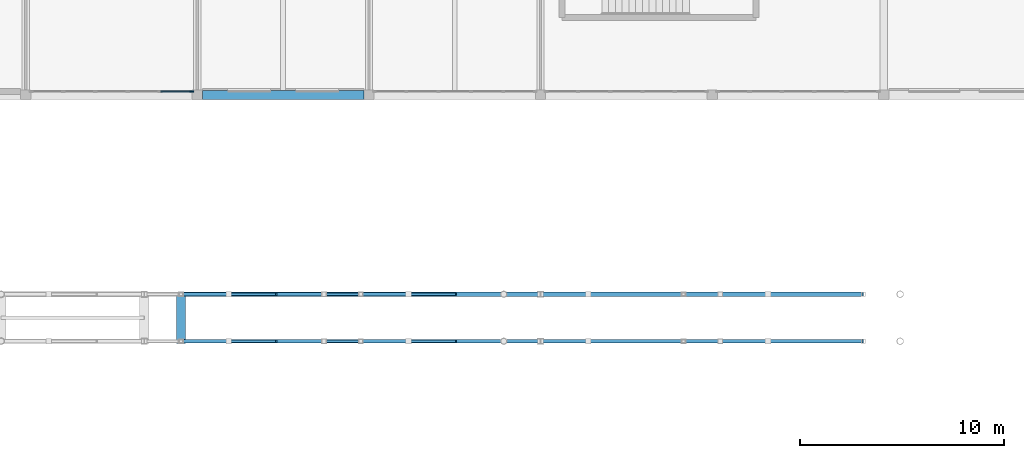
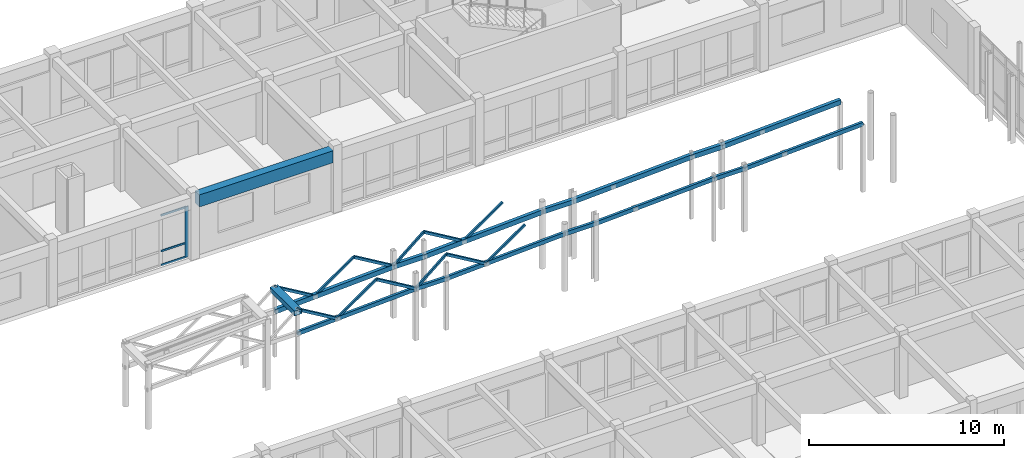
# One storey, part 36 of 89: 30 members, 2 beams, 1 element without a shape of its own.
"""IFC4 building model written with IfcOpenShell, lengths in metres."""

from ifc_helpers import new_model, si_unit, direction, frame, origin, origin_2d, place, context, subcontext, project, spatial, rectangle, hollow_rectangle, extrude, material, material_profile, profile_set, type_object, element, aggregate, save


model = new_model("IFC4")

# Units and contexts
model_context = context("Model", 3, precision=1e-05, world=origin(), true_north=direction((0.0, 1.0)))
body_context = subcontext(model_context, "Body", "Model", "MODEL_VIEW")
ifc_project = project(units=[si_unit("LENGTHUNIT", "METRE"), si_unit("AREAUNIT", "SQUARE_METRE"), si_unit("VOLUMEUNIT", "CUBIC_METRE"), si_unit("PLANEANGLEUNIT", "RADIAN"), si_unit("MASSUNIT", "GRAM", prefix="KILO")], contexts=[model_context])

# Site, building, storey
site_placement = place(None, origin())
site = spatial("IfcSite", under=ifc_project, at=site_placement, CompositionType="ELEMENT")
building_placement = place(site_placement, origin())
building = spatial("IfcBuilding", under=site, at=building_placement, Name="Malvenik Polytechnic", CompositionType="ELEMENT")
storey_placement = place(building_placement, frame((0.0, 0.0, 13.5)))
storey = spatial("IfcBuildingStorey", under=building, at=storey_placement, Name="L03", CompositionType="ELEMENT", Elevation=13.5)

# Curtain wall, members
ifc_material_1 = material(Name="Anodised aluminium 6060-T6", Category="aluminium")
curtain_wall_type = type_object("IfcCurtainWallType", Name="ARC-CW-CW-02", PredefinedType="NOTDEFINED", material=ifc_material_1)
curtain_wall_placement = place(storey_placement, origin())
curtain_wall = element("IfcCurtainWall", 1, at=curtain_wall_placement, inside=storey, type_object=curtain_wall_type, Name="Unitised Curtain Wall CW-02 L03 #171", PredefinedType="NOTDEFINED")
ifc_material_2 = material(Name="Anodised aluminium", Category="aluminium")
ifc_material_profile_1 = material_profile(ifc_material_2, rectangle(XDim=0.06005859375, YDim=0.199951171875, at=origin_2d()), Name="ALU MULLION 60x200")
ifc_profile_set_1 = profile_set([ifc_material_profile_1], Name="Anodised aluminium")
member_type_1 = type_object("IfcMemberType", Name="ARC-CWM-200", PredefinedType="MULLION", material=ifc_profile_set_1)
member_1_placement = place(storey_placement, frame((33.322021484375, 115.3701171875, 0.0), z_axis=(0.0, 0.0, 1.0), x_axis=(0.0, -1.0, 0.0)))
member_1 = element("IfcMember", 2, at=member_1_placement, type_object=member_type_1, Name="CW-02 mullion 1", PredefinedType="MULLION", context=body_context, shape_type="SweptSolid", body=[
    extrude(rectangle(XDim=0.06005859375, YDim=0.199951171875, at=origin_2d()), origin(), (0.0, 0.0, 1.0), 3.159912109375),
])
ifc_material_profile_2 = material_profile(ifc_material_2, rectangle(XDim=0.06005859375, YDim=0.1201171875, at=origin_2d()), Name="ALU TRANSOM 60x120")
ifc_profile_set_2 = profile_set([ifc_material_profile_2], Name="Anodised aluminium")
member_type_2 = type_object("IfcMemberType", Name="ARC-CWT-120", PredefinedType="USERDEFINED", material=ifc_profile_set_2)
member_2_placement = place(storey_placement, frame((33.2919921875, 115.3701171875, 0.030029296875), z_axis=(-1.0, 0.0, 0.0), x_axis=(0.0, -1.0, 0.0)))
member_2 = element("IfcMember", 3, at=member_2_placement, type_object=member_type_2, Name="CW-02 transom 1.1", ObjectType="TRANSOM", PredefinedType="USERDEFINED", context=body_context, shape_type="SweptSolid", body=[
    extrude(rectangle(XDim=0.06005859375, YDim=0.1201171875, at=origin_2d()), origin(), (0.0, 0.0, 1.0), 1.49072265625),
])
member_3_placement = place(storey_placement, frame((33.2919921875, 115.3701171875, 0.89990234375), z_axis=(-1.0, 0.0, 0.0), x_axis=(0.0, -1.0, 0.0)))
member_3 = element("IfcMember", 4, at=member_3_placement, type_object=member_type_2, Name="CW-02 transom 1.2", ObjectType="TRANSOM", PredefinedType="USERDEFINED", context=body_context, shape_type="SweptSolid", body=[
    extrude(rectangle(XDim=0.06005859375, YDim=0.1201171875, at=origin_2d()), origin(), (0.0, 0.0, 1.0), 1.49072265625),
])
member_4_placement = place(storey_placement, frame((33.2919921875, 115.3701171875, 3.1298828125), z_axis=(-1.0, 0.0, 0.0), x_axis=(0.0, -1.0, 0.0)))
member_4 = element("IfcMember", 5, at=member_4_placement, type_object=member_type_2, Name="CW-02 transom 1.3", ObjectType="TRANSOM", PredefinedType="USERDEFINED", context=body_context, shape_type="SweptSolid", body=[
    extrude(rectangle(XDim=0.06005859375, YDim=0.1201171875, at=origin_2d()), origin(), (0.0, 0.0, 1.0), 1.49072265625),
])
aggregate(curtain_wall, [member_1, member_2, member_3, member_4])

# Beams
ifc_material_3 = material(Name="Steel S355J2H", Category="steel")
ifc_material_profile_3 = material_profile(ifc_material_3, hollow_rectangle(XDim=0.449951171875, YDim=0.300048828125, WallThickness=0.012451171875, at=origin_2d()), Name="RHS 450x300x12.5")
ifc_profile_set_3 = profile_set([ifc_material_profile_3], Name="Steel S355J2H")
beam_type_1 = type_object("IfcBeamType", Name="STR-BM-SB-07", PredefinedType="BEAM", material=ifc_profile_set_3)
beam_1_placement = place(storey_placement, frame((32.800048828125, 103.050048828125, 4.181884765625), z_axis=(0.0, 1.0, 0.0), x_axis=(-1.0, 0.0, 0.0)))
element("IfcBeam", 6, at=beam_1_placement, inside=storey, type_object=beam_type_1, Name="Ramp Joint Transom RB-03 #2", PredefinedType="BEAM", context=body_context, shape_type="SweptSolid", body=[
    extrude(hollow_rectangle(XDim=0.449951171875, YDim=0.300048828125, WallThickness=0.012451171875, at=origin_2d()), origin(), (0.0, 0.0, 1.0), 2.5),
])
ifc_material_4 = material(Name="Precast concrete C40/50", Category="concrete")
ifc_material_profile_4 = material_profile(ifc_material_4, rectangle(XDim=0.4599609375, YDim=0.75, at=origin_2d()), Name="PC SPN 460x750")
ifc_profile_set_4 = profile_set([ifc_material_profile_4], Name="Precast concrete C40/50")
beam_type_2 = type_object("IfcBeamType", Name="STR-BM-SP-02", PredefinedType="SPANDREL", material=ifc_profile_set_4)
beam_2_placement = place(storey_placement, frame((33.847900390625, 115.199951171875, 3.544921875), z_axis=(1.0, 0.0, 0.0), x_axis=(0.0, 1.0, 0.0)))
element("IfcBeam", 7, at=beam_2_placement, inside=storey, type_object=beam_type_2, Name="Primary Beam SP-02 L03 #1681", PredefinedType="SPANDREL", context=body_context, shape_type="SweptSolid", body=[
    extrude(rectangle(XDim=0.4599609375, YDim=0.75, at=origin_2d()), origin(), (0.0, 0.0, 1.0), 7.904052734375),
])

# Members
ifc_material_profile_5 = material_profile(ifc_material_3, hollow_rectangle(XDim=0.14990234375, YDim=0.25, WallThickness=0.010009765625, at=origin_2d()), Name="RHS 250x150x10.0")
ifc_profile_set_5 = profile_set([ifc_material_profile_5], Name="Steel S355J2H")
member_type_3 = type_object("IfcMemberType", Name="STR-MEM-TRB-01", PredefinedType="CHORD", material=ifc_profile_set_5)
member_5_placement = place(storey_placement, frame((32.803955078125, 103.14990234375, 2.830078125), z_axis=(0.998752251909, 0.0, 0.049939356288), x_axis=(0.0, 1.0, 0.0)))
element("IfcMember", 8, at=member_5_placement, inside=storey, type_object=member_type_3, Name="Space-Frame Tube TRB-01 STR-TR-BC-RB-03-1-02", PredefinedType="CHORD", context=body_context, shape_type="SweptSolid", body=[
    extrude(hollow_rectangle(XDim=0.14990234375, YDim=0.25, WallThickness=0.010009765625, at=origin_2d()), origin(), (0.0, 0.0, 1.0), 7.000732421875),
])
member_6_placement = place(storey_placement, frame((39.803955078125, 103.14990234375, 3.179931640625), z_axis=(1.0, 0.0, 0.0), x_axis=(0.0, 1.0, 0.0)))
element("IfcMember", 9, at=member_6_placement, inside=storey, type_object=member_type_3, Name="Space-Frame Tube TRB-01 STR-TR-BC-RB-03-1-03", PredefinedType="CHORD", context=body_context, shape_type="SweptSolid", body=[
    extrude(hollow_rectangle(XDim=0.14990234375, YDim=0.25, WallThickness=0.010009765625, at=origin_2d()), origin(), (0.0, 0.0, 1.0), 1.7919921875),
])
member_7_placement = place(storey_placement, frame((41.60400390625, 103.14990234375, 3.18017578125), z_axis=(0.998752251909, 0.0, 0.049939356288), x_axis=(0.0, 1.0, 0.0)))
element("IfcMember", 10, at=member_7_placement, inside=storey, type_object=member_type_3, Name="Space-Frame Tube TRB-01 STR-TR-BC-RB-03-1-04", PredefinedType="CHORD", context=body_context, shape_type="SweptSolid", body=[
    extrude(hollow_rectangle(XDim=0.14990234375, YDim=0.25, WallThickness=0.010009765625, at=origin_2d()), origin(), (0.0, 0.0, 1.0), 7.000732421875),
])
member_8_placement = place(storey_placement, frame((48.60400390625, 103.14990234375, 3.530029296875), z_axis=(1.0, 0.0, 0.0), x_axis=(0.0, 1.0, 0.0)))
element("IfcMember", 11, at=member_8_placement, inside=storey, type_object=member_type_3, Name="Space-Frame Tube TRB-01 STR-TR-BC-RB-03-1-05", PredefinedType="CHORD", context=body_context, shape_type="SweptSolid", body=[
    extrude(hollow_rectangle(XDim=0.14990234375, YDim=0.25, WallThickness=0.010009765625, at=origin_2d()), origin(), (0.0, 0.0, 1.0), 1.7919921875),
])
member_9_placement = place(storey_placement, frame((50.404052734375, 103.14990234375, 3.5302734375), z_axis=(0.998752251909, 0.0, 0.049939356288), x_axis=(0.0, 1.0, 0.0)))
element("IfcMember", 12, at=member_9_placement, inside=storey, type_object=member_type_3, Name="Space-Frame Tube TRB-01 STR-TR-BC-RB-03-1-06", PredefinedType="CHORD", context=body_context, shape_type="SweptSolid", body=[
    extrude(hollow_rectangle(XDim=0.14990234375, YDim=0.25, WallThickness=0.010009765625, at=origin_2d()), origin(), (0.0, 0.0, 1.0), 7.000732421875),
])
member_10_placement = place(storey_placement, frame((57.404052734375, 103.14990234375, 3.8798828125), z_axis=(1.0, 0.0, 0.0), x_axis=(0.0, 1.0, 0.0)))
element("IfcMember", 13, at=member_10_placement, inside=storey, type_object=member_type_3, Name="Space-Frame Tube TRB-01 STR-TR-BC-RB-03-1-07", PredefinedType="CHORD", context=body_context, shape_type="SweptSolid", body=[
    extrude(hollow_rectangle(XDim=0.14990234375, YDim=0.25, WallThickness=0.010009765625, at=origin_2d()), origin(), (0.0, 0.0, 1.0), 1.7919921875),
])
member_11_placement = place(storey_placement, frame((59.2041015625, 103.14990234375, 3.880126953125), z_axis=(0.998752251909, 0.0, 0.049939356288), x_axis=(0.0, 1.0, 0.0)))
element("IfcMember", 14, at=member_11_placement, inside=storey, type_object=member_type_3, Name="Space-Frame Tube TRB-01 STR-TR-BC-RB-03-1-08", PredefinedType="CHORD", context=body_context, shape_type="SweptSolid", body=[
    extrude(hollow_rectangle(XDim=0.14990234375, YDim=0.25, WallThickness=0.010009765625, at=origin_2d()), origin(), (0.0, 0.0, 1.0), 7.000732421875),
])
ifc_material_profile_6 = material_profile(ifc_material_3, hollow_rectangle(XDim=0.199951171875, YDim=0.300048828125, WallThickness=0.010009765625, at=origin_2d()), Name="RHS 300x200x10.0")
ifc_profile_set_6 = profile_set([ifc_material_profile_6], Name="Steel S355J2H")
member_type_4 = type_object("IfcMemberType", Name="STR-MEM-TRB-02", PredefinedType="CHORD", material=ifc_profile_set_6)
member_12_placement = place(storey_placement, frame((32.803955078125, 105.449951171875, 2.830078125), z_axis=(0.998752251909, 0.0, 0.049939356288), x_axis=(0.0, 1.0, 0.0)))
element("IfcMember", 15, at=member_12_placement, inside=storey, type_object=member_type_4, Name="Space-Frame Tube TRB-02 STR-TR-BC-RB-03-2-02", PredefinedType="CHORD", context=body_context, shape_type="SweptSolid", body=[
    extrude(hollow_rectangle(XDim=0.199951171875, YDim=0.300048828125, WallThickness=0.010009765625, at=origin_2d()), origin(), (0.0, 0.0, 1.0), 7.000732421875),
])
member_13_placement = place(storey_placement, frame((39.803955078125, 105.449951171875, 3.179931640625), z_axis=(1.0, 0.0, 0.0), x_axis=(0.0, 1.0, 0.0)))
element("IfcMember", 16, at=member_13_placement, inside=storey, type_object=member_type_4, Name="Space-Frame Tube TRB-02 STR-TR-BC-RB-03-2-03", PredefinedType="CHORD", context=body_context, shape_type="SweptSolid", body=[
    extrude(hollow_rectangle(XDim=0.199951171875, YDim=0.300048828125, WallThickness=0.010009765625, at=origin_2d()), origin(), (0.0, 0.0, 1.0), 1.7919921875),
])
member_14_placement = place(storey_placement, frame((41.60400390625, 105.449951171875, 3.18017578125), z_axis=(0.998752251909, 0.0, 0.049939356288), x_axis=(0.0, 1.0, 0.0)))
element("IfcMember", 17, at=member_14_placement, inside=storey, type_object=member_type_4, Name="Space-Frame Tube TRB-02 STR-TR-BC-RB-03-2-04", PredefinedType="CHORD", context=body_context, shape_type="SweptSolid", body=[
    extrude(hollow_rectangle(XDim=0.199951171875, YDim=0.300048828125, WallThickness=0.010009765625, at=origin_2d()), origin(), (0.0, 0.0, 1.0), 7.000732421875),
])
member_15_placement = place(storey_placement, frame((48.60400390625, 105.449951171875, 3.530029296875), z_axis=(1.0, 0.0, 0.0), x_axis=(0.0, 1.0, 0.0)))
element("IfcMember", 18, at=member_15_placement, inside=storey, type_object=member_type_4, Name="Space-Frame Tube TRB-02 STR-TR-BC-RB-03-2-05", PredefinedType="CHORD", context=body_context, shape_type="SweptSolid", body=[
    extrude(hollow_rectangle(XDim=0.199951171875, YDim=0.300048828125, WallThickness=0.010009765625, at=origin_2d()), origin(), (0.0, 0.0, 1.0), 1.7919921875),
])
member_16_placement = place(storey_placement, frame((50.404052734375, 105.449951171875, 3.5302734375), z_axis=(0.998752251909, 0.0, 0.049939356288), x_axis=(0.0, 1.0, 0.0)))
element("IfcMember", 19, at=member_16_placement, inside=storey, type_object=member_type_4, Name="Space-Frame Tube TRB-02 STR-TR-BC-RB-03-2-06", PredefinedType="CHORD", context=body_context, shape_type="SweptSolid", body=[
    extrude(hollow_rectangle(XDim=0.199951171875, YDim=0.300048828125, WallThickness=0.010009765625, at=origin_2d()), origin(), (0.0, 0.0, 1.0), 7.000732421875),
])
member_17_placement = place(storey_placement, frame((57.404052734375, 105.449951171875, 3.8798828125), z_axis=(1.0, 0.0, 0.0), x_axis=(0.0, 1.0, 0.0)))
element("IfcMember", 20, at=member_17_placement, inside=storey, type_object=member_type_4, Name="Space-Frame Tube TRB-02 STR-TR-BC-RB-03-2-07", PredefinedType="CHORD", context=body_context, shape_type="SweptSolid", body=[
    extrude(hollow_rectangle(XDim=0.199951171875, YDim=0.300048828125, WallThickness=0.010009765625, at=origin_2d()), origin(), (0.0, 0.0, 1.0), 1.7919921875),
])
member_18_placement = place(storey_placement, frame((59.2041015625, 105.449951171875, 3.880126953125), z_axis=(0.998752251909, 0.0, 0.049939356288), x_axis=(0.0, 1.0, 0.0)))
element("IfcMember", 21, at=member_18_placement, inside=storey, type_object=member_type_4, Name="Space-Frame Tube TRB-02 STR-TR-BC-RB-03-2-08", PredefinedType="CHORD", context=body_context, shape_type="SweptSolid", body=[
    extrude(hollow_rectangle(XDim=0.199951171875, YDim=0.300048828125, WallThickness=0.010009765625, at=origin_2d()), origin(), (0.0, 0.0, 1.0), 7.000732421875),
])
ifc_material_profile_7 = material_profile(ifc_material_3, hollow_rectangle(XDim=0.14990234375, YDim=0.14990234375, WallThickness=0.008056640625, at=origin_2d()), Name="SHS 150x150x8.0")
ifc_profile_set_7 = profile_set([ifc_material_profile_7], Name="Steel S355J2H")
member_type_5 = type_object("IfcMemberType", Name="STR-MEM-TRD-01", PredefinedType="BRACE", material=ifc_profile_set_7)
for number, where, z_axis, x_axis, name in (
    (22, (32.803466796875, 103.14990234375, 4.327880859375), (0.860205006447, 0.0, -0.509948376684), (0.0, 1.0, 0.0), "Space-Frame Tube TRD-01 STR-TRD-01-RB-03-1-02"),
    (23, (37.47021484375, 103.14990234375, 4.561279296875), (0.860165406805, 0.0, -0.51001516932), (0.0, 1.0, 0.0), "Space-Frame Tube TRD-01 STR-TRD-03-RB-03-1-02"),
    (24, (41.603515625, 103.14990234375, 4.677978515625), (0.860165406805, 0.0, -0.51001516932), (0.0, 1.0, 0.0), "Space-Frame Tube TRD-01 STR-TRD-01-RB-03-1-04"),
    (25, (32.803466796875, 105.449951171875, 4.327880859375), (0.860205006447, 0.0, -0.509948376684), (0.0, 1.0, 0.0), "Space-Frame Tube TRD-01 STR-TRD-01-RB-03-2-02"),
    (26, (37.47021484375, 105.449951171875, 4.561279296875), (0.860165406805, 0.0, -0.51001516932), (0.0, 1.0, 0.0), "Space-Frame Tube TRD-01 STR-TRD-03-RB-03-2-02"),
    (27, (41.603515625, 105.449951171875, 4.677978515625), (0.860165406805, 0.0, -0.51001516932), (0.0, 1.0, 0.0), "Space-Frame Tube TRD-01 STR-TRD-01-RB-03-2-04"),
):
    element("IfcMember", number, at=place(storey_placement, frame(where, z_axis=z_axis, x_axis=x_axis)), inside=storey, type_object=member_type_5, Name=name, PredefinedType="BRACE", context=body_context, shape_type="SweptSolid", body=[
        extrude(hollow_rectangle(XDim=0.14990234375, YDim=0.14990234375, WallThickness=0.008056640625, at=origin_2d()), origin(), (0.0, 0.0, 1.0), 2.70458984375),
    ])
ifc_material_profile_8 = material_profile(ifc_material_3, hollow_rectangle(XDim=0.1201171875, YDim=0.1201171875, WallThickness=0.00634765625, at=origin_2d()), Name="SHS 120x120x6.3")
ifc_profile_set_8 = profile_set([ifc_material_profile_8], Name="Steel S355J2H")
member_type_6 = type_object("IfcMemberType", Name="STR-MEM-TRD-02", PredefinedType="BRACE", material=ifc_profile_set_8)
member_19_placement = place(storey_placement, frame((35.13671875, 103.14990234375, 2.948974609375), z_axis=(0.821977884392, 0.0, 0.569519409301), x_axis=(0.0, 1.0, 0.0)))
element("IfcMember", 28, at=member_19_placement, inside=storey, type_object=member_type_6, Name="Space-Frame Tube TRD-02 STR-TRD-02-RB-03-1-02", PredefinedType="BRACE", context=body_context, shape_type="SweptSolid", body=[
    extrude(hollow_rectangle(XDim=0.1201171875, YDim=0.1201171875, WallThickness=0.00634765625, at=origin_2d()), origin(), (0.0, 0.0, 1.0), 2.83056640625),
])
member_20_placement = place(storey_placement, frame((39.802978515625, 103.14990234375, 3.1826171875), z_axis=(0.768238418778, 0.0, 0.640163832088), x_axis=(0.0, 1.0, 0.0)))
element("IfcMember", 29, at=member_20_placement, inside=storey, type_object=member_type_6, Name="Space-Frame Tube TRD-02 STR-TR-DGL-RB-03-1-03", PredefinedType="BRACE", context=body_context, shape_type="SweptSolid", body=[
    extrude(hollow_rectangle(XDim=0.1201171875, YDim=0.1201171875, WallThickness=0.00634765625, at=origin_2d()), origin(), (0.0, 0.0, 1.0), 2.335205078125),
])
for number, where, z_axis, x_axis, name in (
    (30, (43.9365234375, 103.14990234375, 3.299072265625), (0.822046230069, 0.0, 0.569420754477), (0.0, 1.0, 0.0), "Space-Frame Tube TRD-02 STR-TRD-02-RB-03-1-04"),
    (31, (35.13671875, 105.449951171875, 2.948974609375), (0.821977884392, 0.0, 0.569519409301), (0.0, 1.0, 0.0), "Space-Frame Tube TRD-02 STR-TRD-02-RB-03-2-02"),
):
    element("IfcMember", number, at=place(storey_placement, frame(where, z_axis=z_axis, x_axis=x_axis)), inside=storey, type_object=member_type_6, Name=name, PredefinedType="BRACE", context=body_context, shape_type="SweptSolid", body=[
        extrude(hollow_rectangle(XDim=0.1201171875, YDim=0.1201171875, WallThickness=0.00634765625, at=origin_2d()), origin(), (0.0, 0.0, 1.0), 2.83056640625),
    ])
member_21_placement = place(storey_placement, frame((39.802978515625, 105.449951171875, 3.1826171875), z_axis=(0.768238418778, 0.0, 0.640163832088), x_axis=(0.0, 1.0, 0.0)))
element("IfcMember", 32, at=member_21_placement, inside=storey, type_object=member_type_6, Name="Space-Frame Tube TRD-02 STR-TR-DGL-RB-03-2-03", PredefinedType="BRACE", context=body_context, shape_type="SweptSolid", body=[
    extrude(hollow_rectangle(XDim=0.1201171875, YDim=0.1201171875, WallThickness=0.00634765625, at=origin_2d()), origin(), (0.0, 0.0, 1.0), 2.335205078125),
])
member_22_placement = place(storey_placement, frame((43.9365234375, 105.449951171875, 3.299072265625), z_axis=(0.822046230069, 0.0, 0.569420754477), x_axis=(0.0, 1.0, 0.0)))
element("IfcMember", 33, at=member_22_placement, inside=storey, type_object=member_type_6, Name="Space-Frame Tube TRD-02 STR-TRD-02-RB-03-2-04", PredefinedType="BRACE", context=body_context, shape_type="SweptSolid", body=[
    extrude(hollow_rectangle(XDim=0.1201171875, YDim=0.1201171875, WallThickness=0.00634765625, at=origin_2d()), origin(), (0.0, 0.0, 1.0), 2.83056640625),
])

save(model, "model.ifc")
